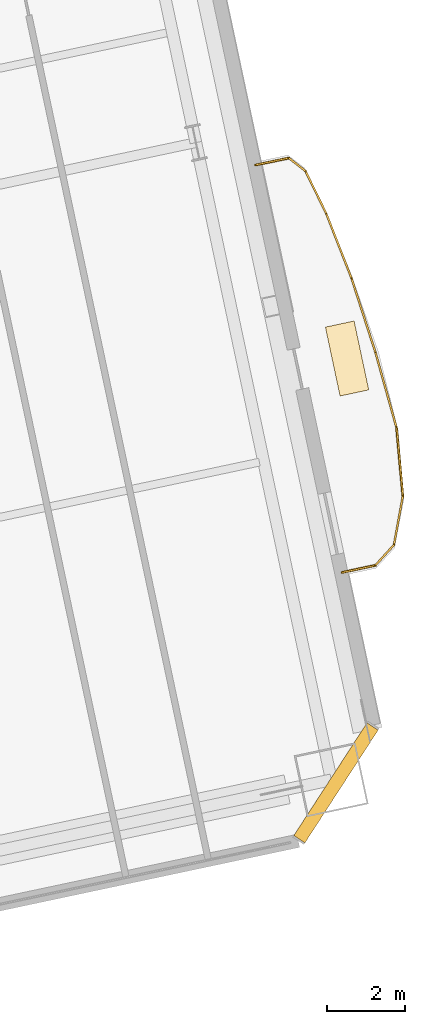
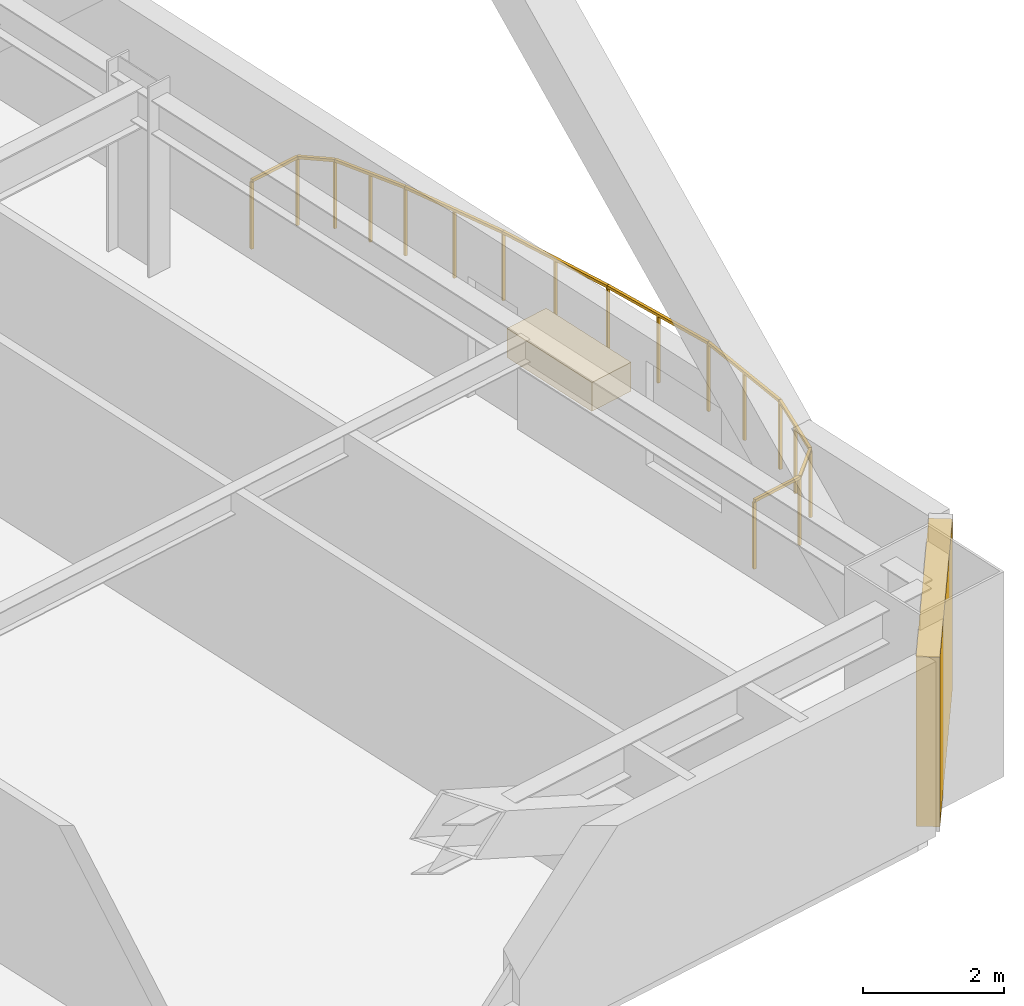
# One storey, part 20 of 20: 10 railings, 1 covering, 1 shading device.
"""IFC4 building model written with IfcOpenShell, lengths in metres."""

from ifc_helpers import new_model, si_unit, direction, frame, origin, origin_2d, place, context, subcontext, project, spatial, rectangle, extrude, material, layer, layer_set, type_object, element, save


model = new_model("IFC4")

# Units and contexts
model_context = context("Model", 3, precision=1e-05, world=origin(), true_north=direction((0.0, 1.0)))
body_context = subcontext(model_context, "Body", "Model", "MODEL_VIEW")
ifc_project = project(units=[si_unit("LENGTHUNIT", "METRE"), si_unit("AREAUNIT", "SQUARE_METRE"), si_unit("VOLUMEUNIT", "CUBIC_METRE"), si_unit("PLANEANGLEUNIT", "RADIAN"), si_unit("MASSUNIT", "GRAM", prefix="KILO")], contexts=[model_context])

# Site, building, storey
site_placement = place(None, origin())
site = spatial("IfcSite", under=ifc_project, at=site_placement, CompositionType="ELEMENT")
building_placement = place(site_placement, origin())
building = spatial("IfcBuilding", under=site, at=building_placement, Name="Haevon Station Towers", CompositionType="ELEMENT")
storey_placement = place(building_placement, frame((0.0, 0.0, 30.60009765625)))
storey = spatial("IfcBuildingStorey", under=building, at=storey_placement, Name="L06", CompositionType="ELEMENT", Elevation=30.60009765625)

# Railings
ifc_material_1 = material(Name="Steel S355", Category="steel")
railing_type = type_object("IfcRailingType", Name="GRD-EXT1200", PredefinedType="GUARDRAIL", material=ifc_material_1)
railing_1_placement = place(storey_placement, frame((138.470458984375, 28.175537109375, 0.0)))
element("IfcRailing", 1, at=railing_1_placement, inside=storey, type_object=railing_type, Name="L06 Perimeter Guardrail 1", PredefinedType="GUARDRAIL", context=body_context, shape_type="SweptSolid", body=[
    extrude(rectangle(XDim=0.048095703125, YDim=0.048095703125, at=origin_2d()), frame((0.0, 0.0, 1.17578125), z_axis=(0.977683060471, 0.210085299981, 0.0), x_axis=(-0.210085299981, 0.977683060471, 0.0)), (0.0, 0.0, 1.0), 0.869140625),
    extrude(rectangle(XDim=0.0419921875, YDim=0.0419921875, at=origin_2d()), origin(), (0.0, 0.0, 1.0), 1.15185546875),
    extrude(rectangle(XDim=0.0419921875, YDim=0.0419921875, at=origin_2d()), frame((0.849853515625, 0.1826171875, 0.0)), (0.0, 0.0, 1.0), 1.15185546875),
])
railing_2_placement = place(storey_placement, frame((139.3203125, 28.358154296875, 0.0)))
element("IfcRailing", 2, at=railing_2_placement, inside=storey, type_object=railing_type, Name="L06 Perimeter Guardrail 2", PredefinedType="GUARDRAIL", context=body_context, shape_type="SweptSolid", body=[
    extrude(rectangle(XDim=0.048095703125, YDim=0.048095703125, at=origin_2d()), frame((0.0, 0.0, 1.17578125), z_axis=(0.673258673946, 0.739407031314, 0.0), x_axis=(-0.739407031314, 0.673258673946, 0.0)), (0.0, 0.0, 1.0), 0.704833984375),
    extrude(rectangle(XDim=0.0419921875, YDim=0.0419921875, at=origin_2d()), origin(), (0.0, 0.0, 1.0), 1.15185546875),
    extrude(rectangle(XDim=0.0419921875, YDim=0.0419921875, at=origin_2d()), frame((0.474609375, 0.521240234375, 0.0)), (0.0, 0.0, 1.0), 1.15185546875),
])
railing_3_placement = place(storey_placement, frame((139.794921875, 28.87939453125, 0.0)))
element("IfcRailing", 3, at=railing_3_placement, inside=storey, type_object=railing_type, Name="L06 Perimeter Guardrail 3", PredefinedType="GUARDRAIL", context=body_context, shape_type="SweptSolid", body=[
    extrude(rectangle(XDim=0.048095703125, YDim=0.048095703125, at=origin_2d()), frame((0.0, 0.0, 1.17578125), z_axis=(0.17885144473, 0.983876090124, 0.0), x_axis=(-0.983876090124, 0.17885144473, 0.0)), (0.0, 0.0, 1.0), 1.263916015625),
    extrude(rectangle(XDim=0.0419921875, YDim=0.0419921875, at=origin_2d()), origin(), (0.0, 0.0, 1.0), 1.15185546875),
    extrude(rectangle(XDim=0.0419921875, YDim=0.0419921875, at=origin_2d()), frame((0.113037109375, 0.621826171875, 0.0)), (0.0, 0.0, 1.0), 1.15185546875),
    extrude(rectangle(XDim=0.0419921875, YDim=0.0419921875, at=origin_2d()), frame((0.22607421875, 1.24365234375, 0.0)), (0.0, 0.0, 1.0), 1.15185546875),
])
railing_4_placement = place(storey_placement, frame((140.02099609375, 30.123046875, 0.0)))
element("IfcRailing", 4, at=railing_4_placement, inside=storey, type_object=railing_type, Name="L06 Perimeter Guardrail 4", PredefinedType="GUARDRAIL", context=body_context, shape_type="SweptSolid", body=[
    extrude(rectangle(XDim=0.048095703125, YDim=0.048095703125, at=origin_2d()), frame((0.0, 0.0, 1.17578125), z_axis=(-0.091487011255, 0.995806269699, 0.0), x_axis=(-0.995806269699, -0.091487011255, 0.0)), (0.0, 0.0, 1.0), 1.758544921875),
    extrude(rectangle(XDim=0.0419921875, YDim=0.0419921875, at=origin_2d()), origin(), (0.0, 0.0, 1.0), 1.15185546875),
    extrude(rectangle(XDim=0.0419921875, YDim=0.0419921875, at=origin_2d()), frame((-0.08056640625, 0.87548828125, 0.0)), (0.0, 0.0, 1.0), 1.15185546875),
    extrude(rectangle(XDim=0.0419921875, YDim=0.0419921875, at=origin_2d()), frame((-0.160888671875, 1.751220703125, 0.0)), (0.0, 0.0, 1.0), 1.15185546875),
])
railing_5_placement = place(storey_placement, frame((139.860107421875, 31.874267578125, 0.0)))
element("IfcRailing", 5, at=railing_5_placement, inside=storey, type_object=railing_type, Name="L06 Perimeter Guardrail 5", PredefinedType="GUARDRAIL", context=body_context, shape_type="SweptSolid", body=[
    extrude(rectangle(XDim=0.048095703125, YDim=0.048095703125, at=origin_2d()), frame((0.0, 0.0, 1.17578125), z_axis=(-0.269534709171, 0.962990675216, 0.0), x_axis=(-0.962990675216, -0.269534709171, 0.0)), (0.0, 0.0, 1.0), 1.997314453125),
    extrude(rectangle(XDim=0.0419921875, YDim=0.0419921875, at=origin_2d()), origin(), (0.0, 0.0, 1.0), 1.15185546875),
    extrude(rectangle(XDim=0.0419921875, YDim=0.0419921875, at=origin_2d()), frame((-0.26904296875, 0.961669921875, 0.0)), (0.0, 0.0, 1.0), 1.15185546875),
    extrude(rectangle(XDim=0.0419921875, YDim=0.0419921875, at=origin_2d()), frame((-0.538330078125, 1.92333984375, 0.0)), (0.0, 0.0, 1.0), 1.15185546875),
])
railing_6_placement = place(storey_placement, frame((139.32177734375, 33.797607421875, 0.0)))
element("IfcRailing", 6, at=railing_6_placement, inside=storey, type_object=railing_type, Name="L06 Perimeter Guardrail 6", PredefinedType="GUARDRAIL", context=body_context, shape_type="SweptSolid", body=[
    extrude(rectangle(XDim=0.048095703125, YDim=0.048095703125, at=origin_2d()), frame((0.0, 0.0, 1.17578125), z_axis=(-0.307166859975, 0.951655673095, 0.0), x_axis=(-0.951655673095, -0.307166859975, 0.0)), (0.0, 0.0, 1.0), 1.999755859375),
    extrude(rectangle(XDim=0.0419921875, YDim=0.0419921875, at=origin_2d()), origin(), (0.0, 0.0, 1.0), 1.15185546875),
    extrude(rectangle(XDim=0.0419921875, YDim=0.0419921875, at=origin_2d()), frame((-0.30712890625, 0.95166015625, 0.0)), (0.0, 0.0, 1.0), 1.15185546875),
    extrude(rectangle(XDim=0.0419921875, YDim=0.0419921875, at=origin_2d()), frame((-0.6142578125, 1.903076171875, 0.0)), (0.0, 0.0, 1.0), 1.15185546875),
])
railing_7_placement = place(storey_placement, frame((138.70751953125, 35.70068359375, 0.0)))
element("IfcRailing", 7, at=railing_7_placement, inside=storey, type_object=railing_type, Name="L06 Perimeter Guardrail 7", PredefinedType="GUARDRAIL", context=body_context, shape_type="SweptSolid", body=[
    extrude(rectangle(XDim=0.048095703125, YDim=0.048095703125, at=origin_2d()), frame((0.0, 0.0, 1.17578125), z_axis=(-0.363828124835, 0.93146610007, 0.0), x_axis=(-0.93146610007, -0.363828124835, 0.0)), (0.0, 0.0, 1.0), 1.77294921875),
    extrude(rectangle(XDim=0.0419921875, YDim=0.0419921875, at=origin_2d()), origin(), (0.0, 0.0, 1.0), 1.15185546875),
    extrude(rectangle(XDim=0.0419921875, YDim=0.0419921875, at=origin_2d()), frame((-0.322509765625, 0.82568359375, 0.0)), (0.0, 0.0, 1.0), 1.15185546875),
    extrude(rectangle(XDim=0.0419921875, YDim=0.0419921875, at=origin_2d()), frame((-0.64501953125, 1.6513671875, 0.0)), (0.0, 0.0, 1.0), 1.15185546875),
])
railing_8_placement = place(storey_placement, frame((138.0625, 37.35205078125, 0.0)))
element("IfcRailing", 8, at=railing_8_placement, inside=storey, type_object=railing_type, Name="L06 Perimeter Guardrail 8", PredefinedType="GUARDRAIL", context=body_context, shape_type="SweptSolid", body=[
    extrude(rectangle(XDim=0.048095703125, YDim=0.048095703125, at=origin_2d()), frame((0.0, 0.0, 1.17578125), z_axis=(-0.439670949707, 0.898158925794, 0.0), x_axis=(-0.898158925794, -0.439670949707, 0.0)), (0.0, 0.0, 1.0), 1.20654296875),
    extrude(rectangle(XDim=0.0419921875, YDim=0.0419921875, at=origin_2d()), origin(), (0.0, 0.0, 1.0), 1.15185546875),
    extrude(rectangle(XDim=0.0419921875, YDim=0.0419921875, at=origin_2d()), frame((-0.26513671875, 0.5419921875, 0.0)), (0.0, 0.0, 1.0), 1.15185546875),
    extrude(rectangle(XDim=0.0419921875, YDim=0.0419921875, at=origin_2d()), frame((-0.530517578125, 1.083740234375, 0.0)), (0.0, 0.0, 1.0), 1.15185546875),
])
railing_9_placement = place(storey_placement, frame((137.531982421875, 38.435791015625, 0.0)))
element("IfcRailing", 9, at=railing_9_placement, inside=storey, type_object=railing_type, Name="L06 Perimeter Guardrail 9", PredefinedType="GUARDRAIL", context=body_context, shape_type="SweptSolid", body=[
    extrude(rectangle(XDim=0.048095703125, YDim=0.048095703125, at=origin_2d()), frame((0.0, 0.0, 1.17578125), z_axis=(-0.788740209516, 0.614726672508, 0.0), x_axis=(-0.614726672508, -0.788740209516, 0.0)), (0.0, 0.0, 1.0), 0.537353515625),
    extrude(rectangle(XDim=0.0419921875, YDim=0.0419921875, at=origin_2d()), origin(), (0.0, 0.0, 1.0), 1.15185546875),
    extrude(rectangle(XDim=0.0419921875, YDim=0.0419921875, at=origin_2d()), frame((-0.423828125, 0.330322265625, 0.0)), (0.0, 0.0, 1.0), 1.15185546875),
])
railing_10_placement = place(storey_placement, frame((137.108154296875, 38.76611328125, 0.0)))
element("IfcRailing", 10, at=railing_10_placement, inside=storey, type_object=railing_type, Name="L06 Perimeter Guardrail 10", PredefinedType="GUARDRAIL", context=body_context, shape_type="SweptSolid", body=[
    extrude(rectangle(XDim=0.048095703125, YDim=0.048095703125, at=origin_2d()), frame((0.0, 0.0, 1.17578125), z_axis=(-0.978645023674, -0.205557577426, 0.0), x_axis=(0.205557577426, -0.978645023674, 0.0)), (0.0, 0.0, 1.0), 0.869384765625),
    extrude(rectangle(XDim=0.0419921875, YDim=0.0419921875, at=origin_2d()), origin(), (0.0, 0.0, 1.0), 1.15185546875),
    extrude(rectangle(XDim=0.0419921875, YDim=0.0419921875, at=origin_2d()), frame((-0.850830078125, -0.1787109375, 0.0)), (0.0, 0.0, 1.0), 1.15185546875),
])

# Covering
ifc_material_2 = material(Name="Architectural planter GRC", Category="concrete")
ifc_layer_1 = layer(ifc_material_2, 0.550048828125)
ifc_layer_set_1 = layer_set([ifc_layer_1], Name="Architectural planter GRC")
covering_type = type_object("IfcCoveringType", Name="PLN-GRC550", PredefinedType="MOLDING", material=ifc_layer_set_1)
covering_placement = place(storey_placement, frame((138.59619140625, 33.643310546875, 0.0), z_axis=(0.0, 0.0, 1.0), x_axis=(0.978147600734, 0.207911690818, 0.0)))
element("IfcCovering", 11, at=covering_placement, inside=storey, type_object=covering_type, Name="Tower 2 L06 Scalloped Balcony PLANTER", PredefinedType="MOLDING", context=body_context, shape_type="SweptSolid", body=[
    extrude(rectangle(XDim=0.75, YDim=1.800048828125, at=origin_2d()), origin(), (0.0, 0.0, 1.0), 0.5),
])

# Shading device
ifc_material_3 = material(Name="Anodised aluminium 6063-T6", Category="aluminium")
ifc_layer_2 = layer(ifc_material_3, 0.139892578125)
ifc_layer_set_2 = layer_set([ifc_layer_2], Name="Anodised aluminium 6063-T6")
shading_device_type = type_object("IfcShadingDeviceType", Name="SHD-WIND-BAFFLE", PredefinedType="SHUTTER", material=ifc_layer_set_2)
shading_device_placement = place(storey_placement, frame((138.311767578125, 22.797119140625, 0.0498046875), z_axis=(0.0, 0.0, 1.0), x_axis=(-0.544638910449, -0.838670648839, 0.0)))
element("IfcShadingDevice", 12, at=shading_device_placement, inside=storey, type_object=shading_device_type, Name="Tower 2 L06 Wind-Corner Aerofoil Baffle SEC", PredefinedType="SHUTTER", context=body_context, shape_type="SweptSolid", body=[
    extrude(rectangle(XDim=3.435546875, YDim=0.340087890625, at=origin_2d()), origin(), (0.0, 0.0, 1.0), 2.929931640625),
])

save(model, "model.ifc")
